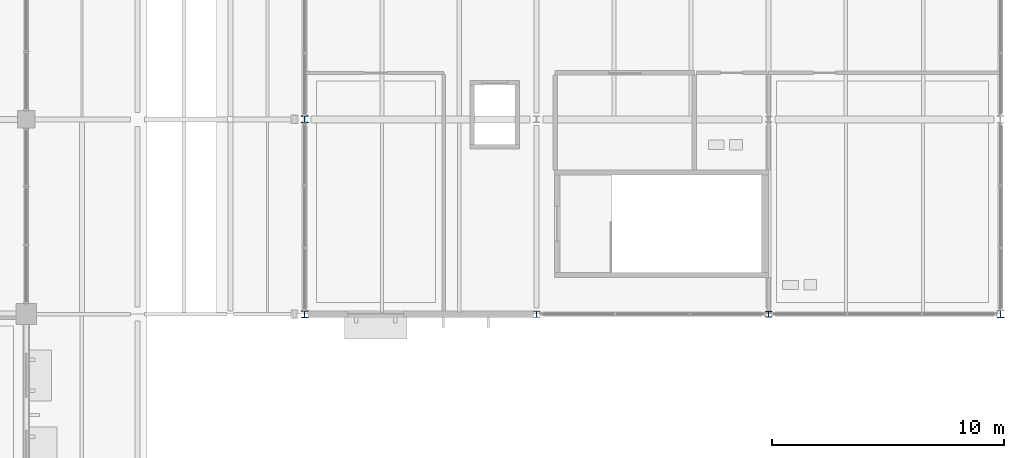
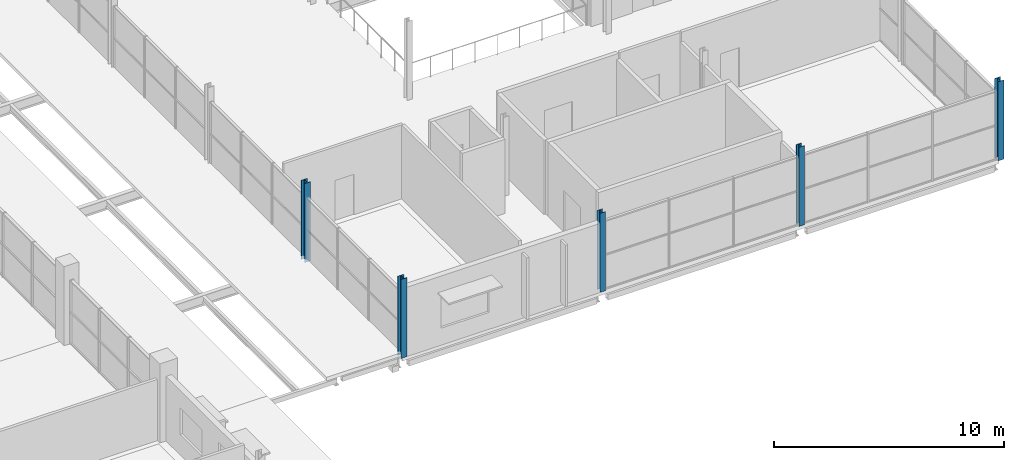
# One storey, part 12 of 161: 5 columns.
"""IFC4 building model written with IfcOpenShell, lengths in metres."""

from ifc_helpers import new_model, si_unit, direction, frame, origin, origin_2d, place, context, subcontext, project, spatial, i_section, extrude, material, material_profile, profile_set, type_object, element, save


model = new_model("IFC4")

# Units and contexts
model_context = context("Model", 3, precision=1e-05, world=origin(), true_north=direction((0.0, 1.0)))
body_context = subcontext(model_context, "Body", "Model", "MODEL_VIEW")
ifc_project = project(units=[si_unit("LENGTHUNIT", "METRE"), si_unit("AREAUNIT", "SQUARE_METRE"), si_unit("VOLUMEUNIT", "CUBIC_METRE"), si_unit("PLANEANGLEUNIT", "RADIAN"), si_unit("MASSUNIT", "GRAM", prefix="KILO"), si_unit("THERMODYNAMICTEMPERATUREUNIT", "KELVIN")], contexts=[model_context])

# Site, building, storey
site_placement = place(None, origin())
site = spatial("IfcSite", under=ifc_project, at=site_placement, CompositionType="ELEMENT")
building_placement = place(site_placement, origin())
building = spatial("IfcBuilding", under=site, at=building_placement, Name="Nduvali Passage Aquatics Centre", CompositionType="ELEMENT")
storey_placement = place(building_placement, frame((0.0, 0.0, 4.800048828125)))
storey = spatial("IfcBuildingStorey", under=building, at=storey_placement, Name="L01", CompositionType="ELEMENT", Elevation=4.800048828125)

# Columns
ifc_material = material(Name="Steel S355", Category="steel")
ifc_material_profile_1 = material_profile(ifc_material, i_section(OverallWidth=0.280029296875, OverallDepth=0.27001953125, WebThickness=0.008056640625, FlangeThickness=0.012939453125, FilletRadius=0.02392578125, at=origin_2d()), Name="HEA 280")
ifc_profile_set_1 = profile_set([ifc_material_profile_1], Name="Steel S355")
column_type_1 = type_object("IfcColumnType", Name="STR-COL-HEA280-EXT", PredefinedType="COLUMN", material=ifc_profile_set_1)
column_1_placement = place(storey_placement, frame((148.0, 25.199951171875, 0.0), z_axis=(0.0, 0.0, 1.0), x_axis=(1.0, 0.0, 0.0)))
element("IfcColumn", 1, at=column_1_placement, inside=storey, type_object=column_type_1, Name="L01 Column C9AE (148.0, 25.2)", PredefinedType="COLUMN", context=body_context, shape_type="SweptSolid", body=[
    extrude(i_section(OverallWidth=0.280029296875, OverallDepth=0.27001953125, WebThickness=0.008056640625, FlangeThickness=0.012939453125, FilletRadius=0.02392578125, at=origin_2d()), origin(), (0.0, 0.0, 1.0), 4.199951171875),
])
ifc_material_profile_2 = material_profile(ifc_material, i_section(OverallWidth=0.300048828125, OverallDepth=0.31005859375, WebThickness=0.009033203125, FlangeThickness=0.015380859375, FilletRadius=0.027099609375, at=origin_2d()), Name="HEA 320")
ifc_profile_set_2 = profile_set([ifc_material_profile_2], Name="Steel S355")
column_type_2 = type_object("IfcColumnType", Name="STR-COL-HEA320-EXT", PredefinedType="COLUMN", material=ifc_profile_set_2)
column_2_placement = place(storey_placement, frame((168.0, 25.199951171875, 0.0), z_axis=(0.0, 0.0, 1.0), x_axis=(1.0, 0.0, 0.0)))
element("IfcColumn", 2, at=column_2_placement, inside=storey, type_object=column_type_2, Name="L01 Column C8BE (168.0, 25.2)", PredefinedType="COLUMN", context=body_context, shape_type="SweptSolid", body=[
    extrude(i_section(OverallWidth=0.300048828125, OverallDepth=0.31005859375, WebThickness=0.009033203125, FlangeThickness=0.015380859375, FilletRadius=0.027099609375, at=origin_2d()), origin(), (0.0, 0.0, 1.0), 4.199951171875),
])
ifc_material_profile_3 = material_profile(ifc_material, i_section(OverallWidth=0.300048828125, OverallDepth=0.300048828125, WebThickness=0.010986328125, FlangeThickness=0.01904296875, FilletRadius=0.027099609375, at=origin_2d()), Name="HEB 300")
ifc_profile_set_3 = profile_set([ifc_material_profile_3], Name="Steel S355")
column_type_3 = type_object("IfcColumnType", Name="STR-COL-HEB300-EXT", PredefinedType="COLUMN", material=ifc_profile_set_3)
for number, where, z_axis, x_axis, name in (
    (3, (138.0, 25.199951171875, 0.0), (0.0, 0.0, 1.0), (1.0, 0.0, 0.0), "L01 Column C8E (138.0, 25.2)"),
    (4, (138.0, 33.60009765625, 0.0), (0.0, 0.0, 1.0), (1.0, 0.0, 0.0), "L01 Column C8E (138.0, 33.6)"),
):
    element("IfcColumn", number, at=place(storey_placement, frame(where, z_axis=z_axis, x_axis=x_axis)), inside=storey, type_object=column_type_3, Name=name, PredefinedType="COLUMN", context=body_context, shape_type="SweptSolid", body=[
        extrude(i_section(OverallWidth=0.300048828125, OverallDepth=0.300048828125, WebThickness=0.010986328125, FlangeThickness=0.01904296875, FilletRadius=0.027099609375, at=origin_2d()), origin(), (0.0, 0.0, 1.0), 4.199951171875),
    ])
ifc_material_profile_4 = material_profile(ifc_material, i_section(OverallWidth=0.25634765625, OverallDepth=0.26025390625, WebThickness=0.01025390625, FlangeThickness=0.017333984375, FilletRadius=0.0126953125, at=origin_2d()), Name="UKC 254x254x89")
ifc_profile_set_4 = profile_set([ifc_material_profile_4], Name="Steel S355")
column_type_4 = type_object("IfcColumnType", Name="STR-COL-UKC254-EXT", PredefinedType="COLUMN", material=ifc_profile_set_4)
column_3_placement = place(storey_placement, frame((158.0, 25.199951171875, 0.0), z_axis=(0.0, 0.0, 1.0), x_axis=(1.0, 0.0, 0.0)))
element("IfcColumn", 5, at=column_3_placement, inside=storey, type_object=column_type_4, Name="L01 Column C6BE (158.0, 25.2)", PredefinedType="COLUMN", context=body_context, shape_type="SweptSolid", body=[
    extrude(i_section(OverallWidth=0.25634765625, OverallDepth=0.26025390625, WebThickness=0.01025390625, FlangeThickness=0.017333984375, FilletRadius=0.0126953125, at=origin_2d()), origin(), (0.0, 0.0, 1.0), 4.199951171875),
])

save(model, "model.ifc")
